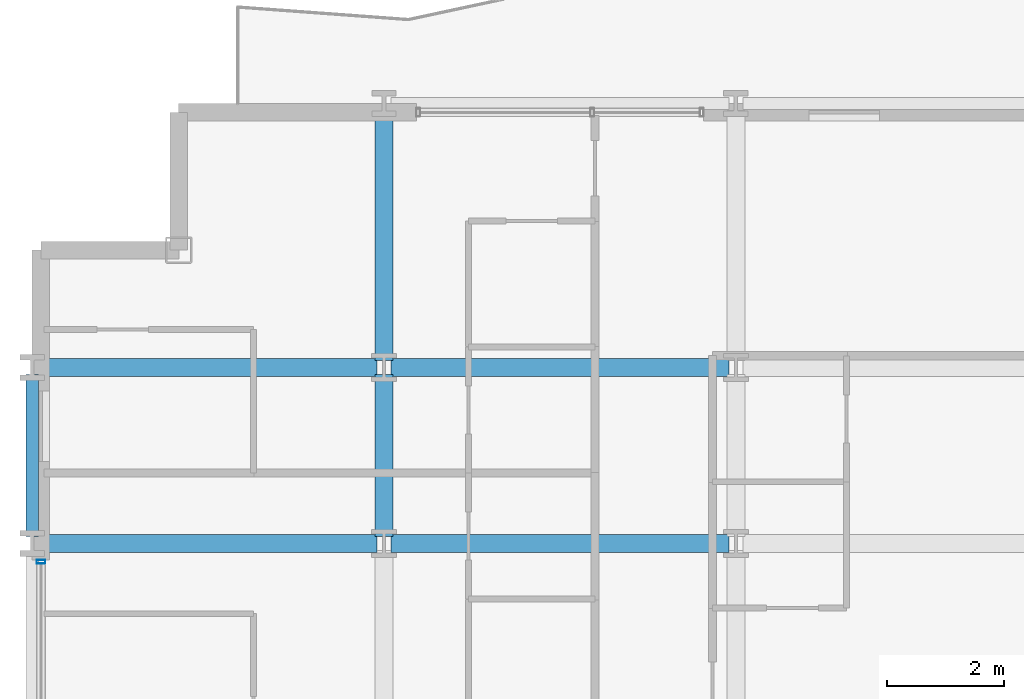
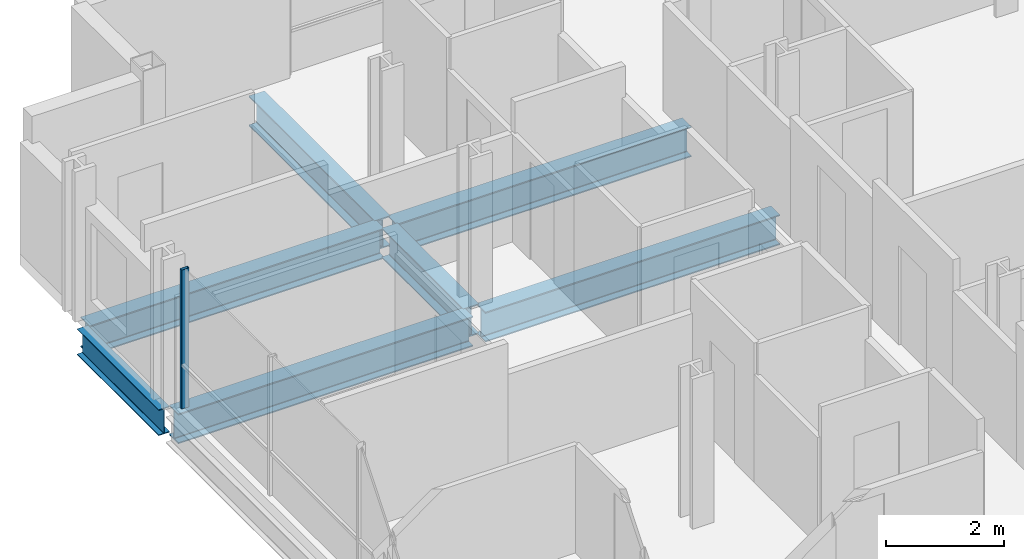
# One storey, part 7 of 40: 7 beams, 1 member, 1 element without a shape of its own.
"""IFC4 building model written with IfcOpenShell, lengths in metres."""

from ifc_helpers import new_model, si_unit, direction, frame, origin, origin_2d, place, context, subcontext, project, spatial, hollow_rectangle, i_section, extrude, material, layer, layer_set, material_profile, profile_set, type_object, element, aggregate, save


model = new_model("IFC4")

# Units and contexts
model_context = context("Model", 3, precision=1e-05, world=origin(), true_north=direction((0.0, 1.0)))
body_context = subcontext(model_context, "Body", "Model", "MODEL_VIEW")
ifc_project = project(units=[si_unit("LENGTHUNIT", "METRE"), si_unit("AREAUNIT", "SQUARE_METRE"), si_unit("VOLUMEUNIT", "CUBIC_METRE"), si_unit("PLANEANGLEUNIT", "RADIAN"), si_unit("MASSUNIT", "GRAM", prefix="KILO")], contexts=[model_context])

# Site, building, storey
site_placement = place(None, origin())
site = spatial("IfcSite", under=ifc_project, at=site_placement, CompositionType="ELEMENT")
building_placement = place(site_placement, origin())
building = spatial("IfcBuilding", under=site, at=building_placement, Name="Brevholm Reach", CompositionType="ELEMENT")
storey_placement = place(building_placement, frame((0.0, 0.0, 37.300048828125)))
storey = spatial("IfcBuildingStorey", under=building, at=storey_placement, Name="L09", CompositionType="ELEMENT", Elevation=37.300048828125)

# Beams
ifc_material_1 = material(Name="Structural Steel S355J2", Category="steel")
ifc_material_profile_1 = material_profile(ifc_material_1, i_section(OverallWidth=0.210693359375, OverallDepth=0.53955078125, WebThickness=0.01171875, FlangeThickness=0.018798828125, FilletRadius=0.0126953125, at=origin_2d()), Name="UKB 533x210x109")
ifc_profile_set_1 = profile_set([ifc_material_profile_1], Name="Structural Steel S355J2")
beam_type_1 = type_object("IfcBeamType", Name="BM-SP539", PredefinedType="SPANDREL", material=ifc_profile_set_1)
beam_1_placement = place(storey_placement, frame((0.0, 23.6201171875, -0.499755859375), z_axis=(0.0, 1.0, 0.0), x_axis=(-1.0, 0.0, 0.0)))
element("IfcBeam", 1, at=beam_1_placement, inside=storey, type_object=beam_type_1, Name="L09 SP-01B Framing Beam", PredefinedType="SPANDREL", context=body_context, shape_type="SweptSolid", body=[
    extrude(i_section(OverallWidth=0.210693359375, OverallDepth=0.53955078125, WebThickness=0.01171875, FlangeThickness=0.018798828125, FilletRadius=0.0126953125, at=origin_2d()), origin(), (0.0, 0.0, 1.0), 2.759765625),
])
ifc_material_2 = material(Name="Structural Steel S355J2", Category="steel")
ifc_material_profile_2 = material_profile(ifc_material_2, i_section(OverallWidth=0.30712890625, OverallDepth=0.6201171875, WebThickness=0.01416015625, FlangeThickness=0.023681640625, FilletRadius=0.0166015625, at=origin_2d()), Name="UKB 610x305x179")
ifc_profile_set_2 = profile_set([ifc_material_profile_2], Name="Structural Steel S355J2")
beam_type_2 = type_object("IfcBeamType", Name="BM-UKB610H", PredefinedType="USERDEFINED", material=ifc_profile_set_2)
for number, where, z_axis, x_axis, name in (
    (2, (0.1201171875, 23.5, -0.5400390625), (1.0, 0.0, 0.0), (0.0, 1.0, 0.0), "L09 G-06 Framing Beam"),
    (3, (6.1201171875, 23.5, -0.5400390625), (1.0, 0.0, 0.0), (0.0, 1.0, 0.0), "L09 G-06 Framing Beam"),
    (4, (0.1201171875, 26.5, -0.5400390625), (1.0, 0.0, 0.0), (0.0, 1.0, 0.0), "L09 G-06 Framing Beam"),
    (5, (6.1201171875, 26.5, -0.5400390625), (1.0, 0.0, 0.0), (0.0, 1.0, 0.0), "L09 G-06 Framing Beam"),
):
    element("IfcBeam", number, at=place(storey_placement, frame(where, z_axis=z_axis, x_axis=x_axis)), inside=storey, type_object=beam_type_2, Name=name, ObjectType="GIRDER", PredefinedType="USERDEFINED", context=body_context, shape_type="SweptSolid", body=[
        extrude(i_section(OverallWidth=0.30712890625, OverallDepth=0.6201171875, WebThickness=0.01416015625, FlangeThickness=0.023681640625, FilletRadius=0.0166015625, at=origin_2d()), origin(), (0.0, 0.0, 1.0), 5.759765625),
    ])
beam_2_placement = place(storey_placement, frame((6.0, 23.6201171875, -0.5400390625), z_axis=(0.0, 1.0, 0.0), x_axis=(-1.0, 0.0, 0.0)))
element("IfcBeam", 6, at=beam_2_placement, inside=storey, type_object=beam_type_2, Name="L09 G-06 Framing Beam", ObjectType="GIRDER", PredefinedType="USERDEFINED", context=body_context, shape_type="SweptSolid", body=[
    extrude(i_section(OverallWidth=0.30712890625, OverallDepth=0.6201171875, WebThickness=0.01416015625, FlangeThickness=0.023681640625, FilletRadius=0.0166015625, at=origin_2d()), origin(), (0.0, 0.0, 1.0), 2.759765625),
])
beam_3_placement = place(storey_placement, frame((6.0, 26.6201171875, -0.5400390625), z_axis=(0.0, 1.0, 0.0), x_axis=(-1.0, 0.0, 0.0)))
element("IfcBeam", 7, at=beam_3_placement, inside=storey, type_object=beam_type_2, Name="L09 G-06 Framing Beam", ObjectType="GIRDER", PredefinedType="USERDEFINED", context=body_context, shape_type="SweptSolid", body=[
    extrude(i_section(OverallWidth=0.30712890625, OverallDepth=0.6201171875, WebThickness=0.01416015625, FlangeThickness=0.023681640625, FilletRadius=0.0166015625, at=origin_2d()), origin(), (0.0, 0.0, 1.0), 4.259765625),
])

# Curtain wall, member
ifc_material_3 = material(Name="Dark Anodised Aluminium 6063-T6 and Solar-Control Glass", Category="aluminium")
ifc_layer = layer(ifc_material_3, 0.14990234375)
ifc_layer_set = layer_set([ifc_layer], Name="Dark Anodised Aluminium 6063-T6 and Solar-Control Glass")
curtain_wall_type = type_object("IfcCurtainWallType", Name="CW-01", PredefinedType="NOTDEFINED", material=ifc_layer_set)
curtain_wall_placement = place(storey_placement, origin())
curtain_wall = element("IfcCurtainWall", 8, at=curtain_wall_placement, inside=storey, type_object=curtain_wall_type, Name="L09 Curtain Wall CW-01", PredefinedType="NOTDEFINED")
ifc_material_4 = material(Name="Dark Anodised Aluminium 6063-T6", Category="aluminium")
ifc_material_profile_3 = material_profile(ifc_material_4, hollow_rectangle(XDim=0.06494140625, YDim=0.14990234375, WallThickness=0.0048828125, InnerFilletRadius=0.0048828125, OuterFilletRadius=0.010009765625, at=origin_2d()), Name="RHS 150x65x5")
ifc_profile_set_3 = profile_set([ifc_material_profile_3], Name="Dark Anodised Aluminium 6063-T6")
member_type = type_object("IfcMemberType", Name="CWM-150", PredefinedType="MULLION", material=ifc_profile_set_3)
member_placement = place(storey_placement, frame((0.14990234375, 23.1875, 0.0), z_axis=(0.0, 0.0, 1.0), x_axis=(0.0, -1.0, 0.0)))
member = element("IfcMember", 9, at=member_placement, type_object=member_type, Name="CM-150 Mullion 1", PredefinedType="MULLION", context=body_context, shape_type="SweptSolid", body=[
    extrude(hollow_rectangle(XDim=0.06494140625, YDim=0.14990234375, WallThickness=0.0048828125, InnerFilletRadius=0.0048828125, OuterFilletRadius=0.010009765625, at=origin_2d()), origin(), (0.0, 0.0, 1.0), 2.869873046875),
])
aggregate(curtain_wall, [member])

save(model, "model.ifc")
